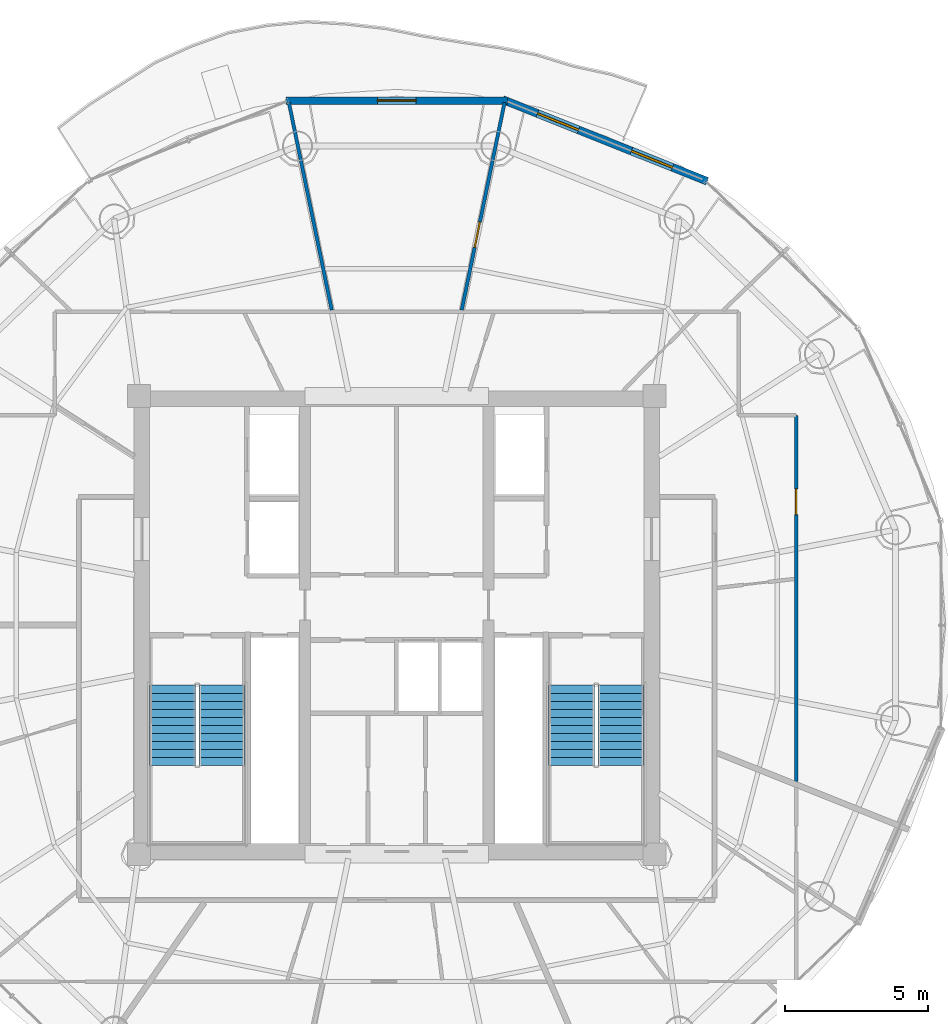
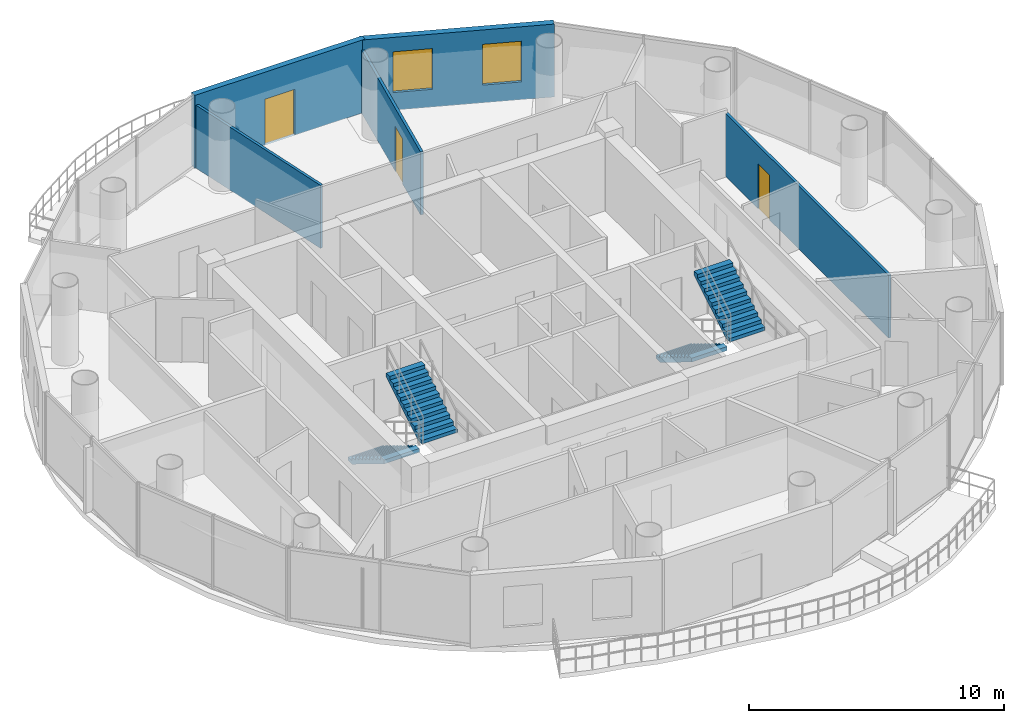
# One storey, part 21 of 24: 5 walls, 4 stair flights, 3 doors, 2 windows, 5 openings, 2 elements without a shape of their own.
"""IFC4 building model written with IfcOpenShell, lengths in metres."""

from ifc_helpers import new_model, si_unit, direction, frame, frame_2d, origin, place, context, subcontext, project, spatial, polyline, rectangle, outline, extrude, source, transform, mapped, material, layer, layer_set, type_object, element, fill, aggregate, save


model = new_model("IFC4")

# Units and contexts
model_context = context("Model", 3, precision=1e-05, world=origin(), true_north=direction((-0.2419218956, 0.970295726276)))
body_context = subcontext(model_context, "Body", "Model", "MODEL_VIEW")
ifc_project = project(units=[si_unit("LENGTHUNIT", "METRE"), si_unit("AREAUNIT", "SQUARE_METRE"), si_unit("VOLUMEUNIT", "CUBIC_METRE"), si_unit("PLANEANGLEUNIT", "RADIAN"), si_unit("MASSUNIT", "GRAM", prefix="KILO")], contexts=[model_context])

# Site, building, storey
site_placement = place(None, origin())
site = spatial("IfcSite", under=ifc_project, at=site_placement, CompositionType="ELEMENT")
building_placement = place(site_placement, origin())
building = spatial("IfcBuilding", under=site, at=building_placement, Name="Cobrevalo Terracotta Tower", CompositionType="ELEMENT")
storey_placement = place(building_placement, frame((0.0, 0.0, 278.199951171875)))
storey = spatial("IfcBuildingStorey", under=building, at=storey_placement, Name="L73", CompositionType="ELEMENT", Elevation=278.199951171875)

# Wall, openings, windows
ifc_material_1 = material(Name="Autoclaved aerated concrete block", Category="concrete")
ifc_layer_1 = layer(ifc_material_1, 0.280029296875)
ifc_layer_set_1 = layer_set([ifc_layer_1], Name="Autoclaved aerated concrete block")
wall_type_1 = type_object("IfcWallType", Name="Insulated tower spandrel & pier wall 280 mm with terracotta rainscreen", PredefinedType="SOLIDWALL", material=ifc_layer_set_1)
wall_1_placement = place(storey_placement, frame((48.835693359375, 42.2939453125, 0.0), z_axis=(0.0, 0.0, 1.0), x_axis=(-0.928724272392, 0.370771123296, 0.0)))
wall_1 = element("IfcWall", 1, at=wall_1_placement, inside=storey, type_object=wall_type_1, Name="L73 terracotta rainscreen pier wall S03", PredefinedType="SOLIDWALL", context=body_context, shape_type="SweptSolid", body=[
    extrude(rectangle(XDim=7.678466796875, YDim=0.280029296875, at=frame_2d((3.83935546875, 0.0))), origin(), (0.0, 0.0, 1.0), 3.489990234375),
])
opening_1_placement = place(wall_1_placement, frame((1.298095703125, 0.0, 0.85009765625)))
opening_1 = element("IfcOpeningElement", 2, at=opening_1_placement, cuts=wall_1, Name="Opening WN-12", PredefinedType="OPENING", context=body_context, shape_type="SweptSolid", body=[
    extrude(rectangle(XDim=1.550048828125, YDim=1.949951171875, at=frame_2d((0.77490234375, 0.97509765625))), frame((0.0, 0.14990234375, 0.0), z_axis=(0.0, -1.0, 0.0), x_axis=(1.0, 0.0, 0.0)), (0.0, 0.0, 1.0), 0.300048828125),
])
opening_2_placement = place(wall_1_placement, frame((4.830078125, 0.0, 0.85009765625)))
opening_2 = element("IfcOpeningElement", 3, at=opening_2_placement, cuts=wall_1, Name="Opening WN-12", PredefinedType="OPENING", context=body_context, shape_type="SweptSolid", body=[
    extrude(rectangle(XDim=1.550048828125, YDim=1.949951171875, at=frame_2d((0.77490234375, 0.97509765625))), frame((0.0, 0.14990234375, 0.0), z_axis=(0.0, -1.0, 0.0), x_axis=(1.0, 0.0, 0.0)), (0.0, 0.0, 1.0), 0.300048828125),
])
ifc_material_2 = material(Name="Solar-control low-E double glazing", Category="glass")
window_type = type_object("IfcWindowType", Name="Solar-control low-E aluminium window 1550x1950", PartitioningType="SINGLE_PANEL", PredefinedType="WINDOW", material=ifc_material_2)
shared_shape_1 = source(origin(), body_context, "Body", "SweptSolid", [
    extrude(rectangle(XDim=1.550048828125, YDim=1.949951171875, at=frame_2d((0.77490234375, 0.97509765625))), frame((0.0, 0.030029296875, 0.0), z_axis=(0.0, -1.0, 0.0), x_axis=(1.0, 0.0, 0.0)), (0.0, 0.0, 1.0), 0.06005859375),
])
window_1_placement = place(opening_1_placement, origin())
window_1 = element("IfcWindow", 4, at=window_1_placement, inside=storey, type_object=window_type, Name="L73 suite window S03A", OverallHeight=1.949951171875, OverallWidth=1.550048828125, PartitioningType="SINGLE_PANEL", PredefinedType="WINDOW", context=body_context, shape_type="MappedRepresentation", body=[
    mapped(shared_shape_1, transform((0.0, 0.0, 0.0), scale=1.0)),
])
fill(opening_1, window_1)
window_2_placement = place(opening_2_placement, origin())
window_2 = element("IfcWindow", 5, at=window_2_placement, inside=storey, type_object=window_type, Name="L73 suite window S03B", OverallHeight=1.949951171875, OverallWidth=1.550048828125, PartitioningType="SINGLE_PANEL", PredefinedType="WINDOW", context=body_context, shape_type="MappedRepresentation", body=[
    mapped(shared_shape_1, transform((0.0, 0.0, 0.0), scale=1.0)),
])
fill(opening_2, window_2)

# Wall, opening, door
ifc_layer_2 = layer(ifc_material_1, 0.260009765625)
ifc_layer_set_2 = layer_set([ifc_layer_2], Name="Autoclaved aerated concrete block")
wall_type_2 = type_object("IfcWallType", Name="Recessed balcony loggia insulated exterior wall 260 mm", PredefinedType="SOLIDWALL", material=ifc_layer_set_2)
wall_2_placement = place(storey_placement, frame((41.85888671875, 45.111328125, 0.0), z_axis=(0.0, 0.0, 1.0), x_axis=(-1.0, 0.0, 0.0)))
wall_2 = element("IfcWall", 6, at=wall_2_placement, inside=storey, type_object=wall_type_2, Name="L73 balcony loggia wall S04", PredefinedType="SOLIDWALL", context=body_context, shape_type="SweptSolid", body=[
    extrude(rectangle(XDim=7.7177734375, YDim=0.260009765625, at=frame_2d((3.85888671875, 0.0))), origin(), (0.0, 0.0, 1.0), 3.489990234375),
])
opening_3_placement = place(wall_2_placement, frame((3.183837890625, 0.0, 0.0)))
opening_3 = element("IfcOpeningElement", 7, at=opening_3_placement, cuts=wall_2, Name="Opening ED-05", PredefinedType="OPENING", context=body_context, shape_type="SweptSolid", body=[
    extrude(rectangle(XDim=1.35009765625, YDim=2.199951171875, at=frame_2d((0.675048828125, 1.10009765625))), frame((0.0, 0.14013671875, 0.0), z_axis=(0.0, -1.0, 0.0), x_axis=(1.0, 0.0, 0.0)), (0.0, 0.0, 1.0), 0.280029296875),
])
ifc_material_3 = material(Name="Anodized aluminium and laminated glass", Category="aluminium")
door_type_1 = type_object("IfcDoorType", Name="Suite balcony acoustic glazed terrace door 1350x2200", OperationType="NOTDEFINED", PredefinedType="DOOR", material=ifc_material_3)
shared_shape_2 = source(origin(), body_context, "Body", "SweptSolid", [
    extrude(rectangle(XDim=1.35009765625, YDim=2.199951171875, at=frame_2d((0.675048828125, 1.10009765625))), frame((0.0, 0.02490234375, 0.0), z_axis=(0.0, -1.0, 0.0), x_axis=(1.0, 0.0, 0.0)), (0.0, 0.0, 1.0), 0.050048828125),
])
door_1_placement = place(opening_3_placement, frame((1.35009765625, 0.0, 0.0), z_axis=(0.0, 0.0, 1.0), x_axis=(-1.0, 0.0, 0.0)))
door_1 = element("IfcDoor", 8, at=door_1_placement, inside=storey, type_object=door_type_1, Name="L73 glazed balcony terrace door 1", OperationType="SINGLE_SWING_LEFT", OverallHeight=2.199951171875, OverallWidth=1.35009765625, PredefinedType="DOOR", context=body_context, shape_type="MappedRepresentation", body=[
    mapped(shared_shape_2, transform((0.0, 0.0, 0.0), scale=1.0)),
])
fill(opening_3, door_1)

ifc_material_4 = material(Name="Gypsum board on steel stud", Category="steel")
ifc_layer_3 = layer(ifc_material_4, 0.1201171875)
ifc_layer_set_3 = layer_set([ifc_layer_3], Name="Gypsum board on steel stud")
wall_type_3 = type_object("IfcWallType", Name="Residential internal acoustic stud partition 120 mm", PredefinedType="PARTITIONING", material=ifc_layer_set_3)
wall_3_placement = place(storey_placement, frame((51.945068359375, 34.1201171875, 0.0), z_axis=(0.0, 0.0, 1.0), x_axis=(0.0, -1.0, 0.0)))
wall_3 = element("IfcWall", 9, at=wall_3_placement, inside=storey, type_object=wall_type_3, Name="L73 interior partition IW-L73-U1-RING6_0", PredefinedType="PARTITIONING", context=body_context, shape_type="SweptSolid", body=[
    extrude(rectangle(XDim=12.785888671875, YDim=0.1201171875, at=frame_2d((6.39306640625, 0.0))), origin(), (0.0, 0.0, 1.0), 3.01513671875),
])
opening_4_placement = place(wall_3_placement, frame((2.56201171875, 0.0, 0.0)))
opening_4 = element("IfcOpeningElement", 10, at=opening_4_placement, cuts=wall_3, Name="Opening ID-12", PredefinedType="OPENING", context=body_context, shape_type="SweptSolid", body=[
    extrude(rectangle(XDim=0.89990234375, YDim=2.14990234375, at=frame_2d((0.449951171875, 1.074951171875))), frame((0.0, 0.070068359375, 0.0), z_axis=(0.0, -1.0, 0.0), x_axis=(1.0, 0.0, 0.0)), (0.0, 0.0, 1.0), 0.14013671875),
])
ifc_material_5 = material(Name="Engineered timber", Category="wood")
door_type_2 = type_object("IfcDoorType", Name="Internal residence & suite timber door 900x2150", OperationType="NOTDEFINED", PredefinedType="DOOR", material=ifc_material_5)
shared_shape_3 = source(origin(), body_context, "Body", "SweptSolid", [
    extrude(rectangle(XDim=0.89990234375, YDim=2.14990234375, at=frame_2d((0.449951171875, 1.074951171875))), frame((0.0, 0.02490234375, 0.0), z_axis=(0.0, -1.0, 0.0), x_axis=(1.0, 0.0, 0.0)), (0.0, 0.0, 1.0), 0.050048828125),
])
door_2_placement = place(opening_4_placement, origin())
door_2 = element("IfcDoor", 11, at=door_2_placement, inside=storey, type_object=door_type_2, Name="Flat L73A Living and Dining Room internal door", OperationType="SINGLE_SWING_RIGHT", OverallHeight=2.14990234375, OverallWidth=0.89990234375, PredefinedType="DOOR", context=body_context, shape_type="MappedRepresentation", body=[
    mapped(shared_shape_3, transform((0.0, 0.0, 0.0), scale=1.0)),
])
fill(opening_4, door_2)

wall_4_placement = place(storey_placement, frame((40.26904296875, 37.795654296875, 0.0), z_axis=(0.0, 0.0, 1.0), x_axis=(0.202101574245, 0.979364566281, 0.0)))
wall_4 = element("IfcWall", 12, at=wall_4_placement, inside=storey, type_object=wall_type_3, Name="L73 interior partition IW-L73-U1-ORAD2", PredefinedType="PARTITIONING", context=body_context, shape_type="SweptSolid", body=[
    extrude(rectangle(XDim=7.400146484375, YDim=0.1201171875, at=frame_2d((3.7001953125, 0.0))), origin(), (0.0, 0.0, 1.0), 3.01513671875),
])
opening_5_placement = place(wall_4_placement, frame((2.236083984375, 0.0, 0.0)))
opening_5 = element("IfcOpeningElement", 13, at=opening_5_placement, cuts=wall_4, Name="Opening ID-12", PredefinedType="OPENING", context=body_context, shape_type="SweptSolid", body=[
    extrude(rectangle(XDim=0.89990234375, YDim=2.14990234375, at=frame_2d((0.449951171875, 1.074951171875))), frame((0.0, 0.070068359375, 0.0), z_axis=(0.0, -1.0, 0.0), x_axis=(1.0, 0.0, 0.0)), (0.0, 0.0, 1.0), 0.14013671875),
])
door_3_placement = place(opening_5_placement, origin())
door_3 = element("IfcDoor", 14, at=door_3_placement, inside=storey, type_object=door_type_2, Name="Flat L73A Principal Guest Bedroom internal door", OperationType="SINGLE_SWING_RIGHT", OverallHeight=2.14990234375, OverallWidth=0.89990234375, PredefinedType="DOOR", context=body_context, shape_type="MappedRepresentation", body=[
    mapped(shared_shape_3, transform((0.0, 0.0, 0.0), scale=1.0)),
])
fill(opening_5, door_3)

# Wall
wall_5_placement = place(storey_placement, frame((35.73095703125, 37.795654296875, 0.0), z_axis=(0.0, 0.0, 1.0), x_axis=(-0.202101574245, 0.979364566281, 0.0)))
element("IfcWall", 15, at=wall_5_placement, inside=storey, type_object=wall_type_3, Name="L73 interior partition IW-L73-U1-ORAD3M1", PredefinedType="PARTITIONING", context=body_context, shape_type="SweptSolid", body=[
    extrude(rectangle(XDim=7.400146484375, YDim=0.1201171875, at=frame_2d((3.7001953125, 0.0))), origin(), (0.0, 0.0, 1.0), 3.01513671875),
])

# Stair, stair flights
ifc_material_6 = material(Name="Concrete C50", Category="concrete")
stair_type = type_object("IfcStairType", Name="Core protected escape dogleg stair 1600", PredefinedType="HALF_TURN_STAIR", material=ifc_material_6)
stair_1_placement = place(storey_placement, origin())
stair_1 = element("IfcStair", 16, at=stair_1_placement, inside=storey, type_object=stair_type, Name="L73 Protected exit stair ST-1", PredefinedType="HALF_TURN_STAIR")
stair_flight_type = type_object("IfcStairFlightType", Name="Core protected escape dogleg stair 1600 flight", PredefinedType="STRAIGHT", material=ifc_material_6)
stair_flight_1_placement = place(storey_placement, frame((30.175048828125, 24.699951171875, 0.0), z_axis=(0.0, 0.0, 1.0), x_axis=(0.0, -1.0, 0.0)))
stair_flight_1 = element("IfcStairFlight", 17, at=stair_flight_1_placement, type_object=stair_flight_type, Name="ST-1 flight 1", NumberOfRisers=11, NumberOfTreads=10, PredefinedType="STRAIGHT", RiserHeight=0.170454545, TreadLength=0.28, context=body_context, shape_type="SweptSolid", body=[
    extrude(outline(polyline([(0.0, 0.0), (0.0, 0.17041015625), (0.280029296875, 0.17041015625), (0.280029296875, 0.3408203125), (0.56005859375, 0.3408203125), (0.56005859375, 0.511474609375), (0.840087890625, 0.511474609375), (0.840087890625, 0.681884765625), (1.1201171875, 0.681884765625), (1.1201171875, 0.852294921875), (1.39990234375, 0.852294921875), (1.39990234375, 1.022705078125), (1.679931640625, 1.022705078125), (1.679931640625, 1.193115234375), (1.9599609375, 1.193115234375), (1.9599609375, 1.363525390625), (2.239990234375, 1.363525390625), (2.239990234375, 1.5341796875), (2.52001953125, 1.5341796875), (2.52001953125, 1.70458984375), (2.800048828125, 1.70458984375), (2.800048828125, 1.875), (2.800048828125, 1.517333984375), (0.3076171875, 0.0), (0.0, 0.0)])), frame((0.0, 0.800048828125, 0.0), z_axis=(0.0, -1.0, 0.0), x_axis=(1.0, 0.0, 0.0)), (0.0, 0.0, 1.0), 1.60009765625),
])
stair_flight_2_placement = place(storey_placement, frame((31.89501953125, 21.89990234375, 1.875), z_axis=(0.0, 0.0, 1.0), x_axis=(0.0, 1.0, 0.0)))
stair_flight_2 = element("IfcStairFlight", 18, at=stair_flight_2_placement, type_object=stair_flight_type, Name="ST-1 flight 2", NumberOfRisers=11, NumberOfTreads=10, PredefinedType="STRAIGHT", RiserHeight=0.170454545, TreadLength=0.28, context=body_context, shape_type="SweptSolid", body=[
    extrude(outline(polyline([(0.0, 0.0), (0.0, 0.17041015625), (0.280029296875, 0.17041015625), (0.280029296875, 0.3408203125), (0.56005859375, 0.3408203125), (0.56005859375, 0.511474609375), (0.840087890625, 0.511474609375), (0.840087890625, 0.681884765625), (1.1201171875, 0.681884765625), (1.1201171875, 0.852294921875), (1.39990234375, 0.852294921875), (1.39990234375, 1.022705078125), (1.679931640625, 1.022705078125), (1.679931640625, 1.193115234375), (1.9599609375, 1.193115234375), (1.9599609375, 1.363525390625), (2.239990234375, 1.363525390625), (2.239990234375, 1.5341796875), (2.52001953125, 1.5341796875), (2.52001953125, 1.70458984375), (2.800048828125, 1.70458984375), (2.800048828125, 1.875), (2.800048828125, 1.517333984375), (0.3076171875, 0.0), (0.0, 0.0)])), frame((0.0, 0.800048828125, 0.0), z_axis=(0.0, -1.0, 0.0), x_axis=(1.0, 0.0, 0.0)), (0.0, 0.0, 1.0), 1.60009765625),
])
aggregate(stair_1, [stair_flight_1, stair_flight_2])

stair_2_placement = place(storey_placement, origin())
stair_2 = element("IfcStair", 19, at=stair_2_placement, inside=storey, type_object=stair_type, Name="L73 Protected exit stair ST-2", PredefinedType="HALF_TURN_STAIR")
stair_flight_3_placement = place(storey_placement, frame((44.10498046875, 24.699951171875, 0.0), z_axis=(0.0, 0.0, 1.0), x_axis=(0.0, -1.0, 0.0)))
stair_flight_3 = element("IfcStairFlight", 20, at=stair_flight_3_placement, type_object=stair_flight_type, Name="ST-2 flight 1", NumberOfRisers=11, NumberOfTreads=10, PredefinedType="STRAIGHT", RiserHeight=0.170454545, TreadLength=0.28, context=body_context, shape_type="SweptSolid", body=[
    extrude(outline(polyline([(0.0, 0.0), (0.0, 0.17041015625), (0.280029296875, 0.17041015625), (0.280029296875, 0.3408203125), (0.56005859375, 0.3408203125), (0.56005859375, 0.511474609375), (0.840087890625, 0.511474609375), (0.840087890625, 0.681884765625), (1.1201171875, 0.681884765625), (1.1201171875, 0.852294921875), (1.39990234375, 0.852294921875), (1.39990234375, 1.022705078125), (1.679931640625, 1.022705078125), (1.679931640625, 1.193115234375), (1.9599609375, 1.193115234375), (1.9599609375, 1.363525390625), (2.239990234375, 1.363525390625), (2.239990234375, 1.5341796875), (2.52001953125, 1.5341796875), (2.52001953125, 1.70458984375), (2.800048828125, 1.70458984375), (2.800048828125, 1.875), (2.800048828125, 1.517333984375), (0.3076171875, 0.0), (0.0, 0.0)])), frame((0.0, 0.800048828125, 0.0), z_axis=(0.0, -1.0, 0.0), x_axis=(1.0, 0.0, 0.0)), (0.0, 0.0, 1.0), 1.60009765625),
])
stair_flight_4_placement = place(storey_placement, frame((45.824951171875, 21.89990234375, 1.875), z_axis=(0.0, 0.0, 1.0), x_axis=(0.0, 1.0, 0.0)))
stair_flight_4 = element("IfcStairFlight", 21, at=stair_flight_4_placement, type_object=stair_flight_type, Name="ST-2 flight 2", NumberOfRisers=11, NumberOfTreads=10, PredefinedType="STRAIGHT", RiserHeight=0.170454545, TreadLength=0.28, context=body_context, shape_type="SweptSolid", body=[
    extrude(outline(polyline([(0.0, 0.0), (0.0, 0.17041015625), (0.280029296875, 0.17041015625), (0.280029296875, 0.3408203125), (0.56005859375, 0.3408203125), (0.56005859375, 0.511474609375), (0.840087890625, 0.511474609375), (0.840087890625, 0.681884765625), (1.1201171875, 0.681884765625), (1.1201171875, 0.852294921875), (1.39990234375, 0.852294921875), (1.39990234375, 1.022705078125), (1.679931640625, 1.022705078125), (1.679931640625, 1.193115234375), (1.9599609375, 1.193115234375), (1.9599609375, 1.363525390625), (2.239990234375, 1.363525390625), (2.239990234375, 1.5341796875), (2.52001953125, 1.5341796875), (2.52001953125, 1.70458984375), (2.800048828125, 1.70458984375), (2.800048828125, 1.875), (2.800048828125, 1.517333984375), (0.3076171875, 0.0), (0.0, 0.0)])), frame((0.0, 0.800048828125, 0.0), z_axis=(0.0, -1.0, 0.0), x_axis=(1.0, 0.0, 0.0)), (0.0, 0.0, 1.0), 1.60009765625),
])
aggregate(stair_2, [stair_flight_3, stair_flight_4])

save(model, "model.ifc")
